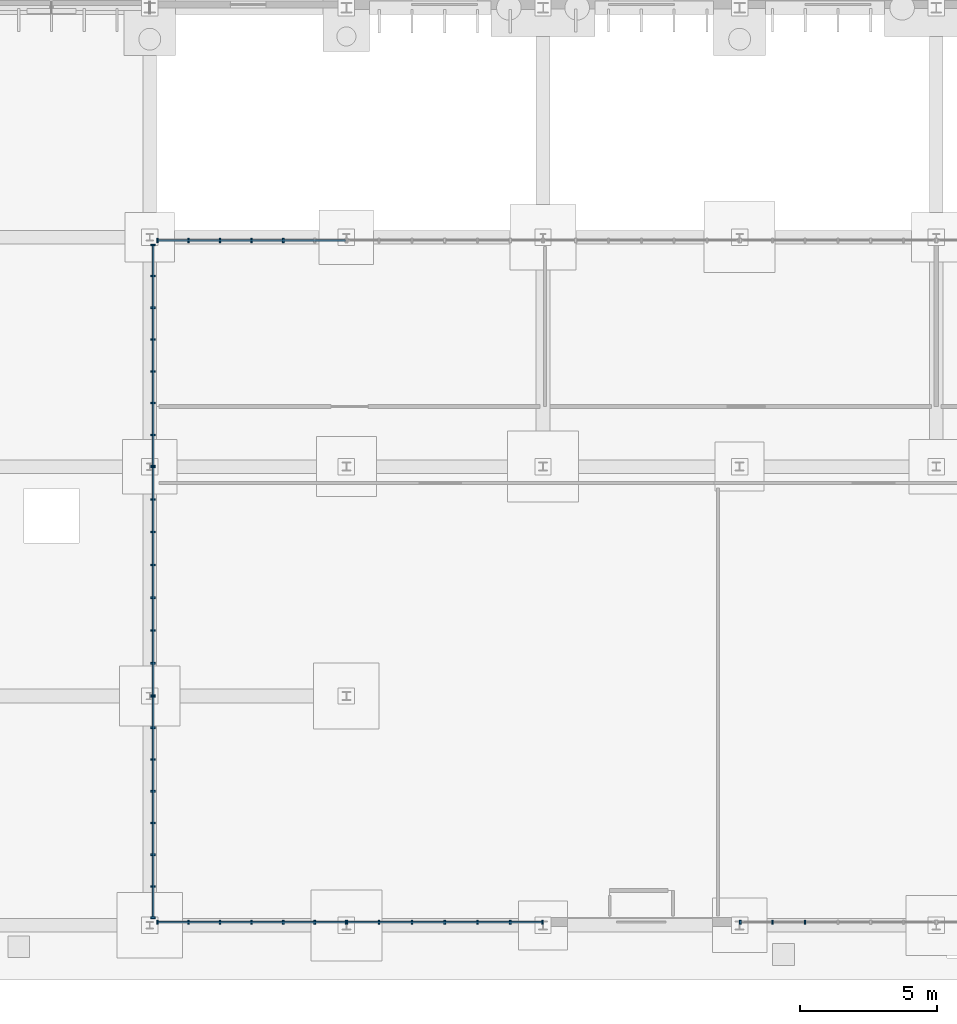
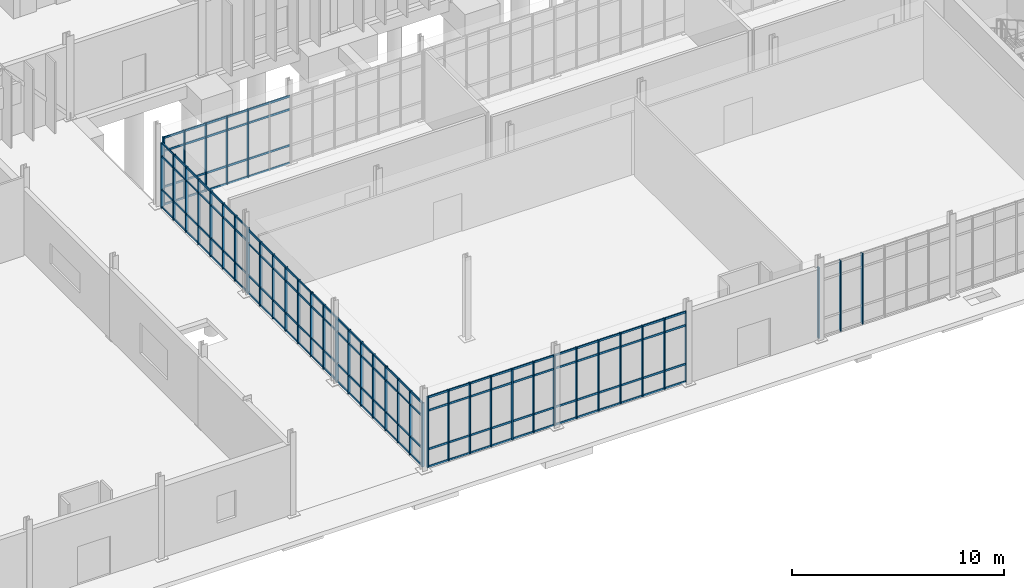
# One storey, part 34 of 118: 70 members, 7 elements without a shape of their own.
"""IFC4 building model written with IfcOpenShell, lengths in metres."""

import ifcopenshell
import ifcopenshell.guid

model = None  # the IFC model being written
_history = None  # IfcOwnerHistory: only IFC2X3 demands one
_inside = {}  # id of a spatial element -> (the spatial element, [elements in it])
_under = {}  # id of a project, library or spatial element -> (it, [spatial elements below it])
_declared = {}  # id of a project -> (the project, [libraries it declares])
_typed = {}  # id of a type object -> (the type object, [elements of that type])
_made_of = {}  # id of a material, layer set ... -> (it, [elements and type objects made of it])


def new_model(schema):
    """Start an empty IFC model of exactly this schema.

    Asked for "IFC4X3", IfcOpenShell would pick the latest addendum, in which some entities
    have other attributes; the version numbers below select the first issue.
    IFC2X3 requires an IfcOwnerHistory on every rooted entity: one is made here for all.
    """
    global model, _history
    if schema == "IFC4X3":
        model = ifcopenshell.file(schema_version=(4, 3, 0, 0))
    else:
        model = ifcopenshell.file(schema=schema)
    _inside.clear()
    _under.clear()
    _declared.clear()
    _typed.clear()
    _made_of.clear()
    _history = None
    if model.schema == "IFC2X3":
        org = make("IfcOrganization", Name="unknown")
        user = make(
            "IfcPersonAndOrganization",
            ThePerson=make("IfcPerson", FamilyName="unknown"),
            TheOrganization=org,
        )
        app = make(
            "IfcApplication",
            ApplicationDeveloper=org,
            Version="unknown",
            ApplicationFullName="unknown",
            ApplicationIdentifier="unknown",
        )
        _history = make(
            "IfcOwnerHistory",
            OwningUser=user,
            OwningApplication=app,
            ChangeAction="ADDED",
            CreationDate=0,
        )
    return model


def make(cls, **values):
    """One entity of the class cls with the attributes given. An attribute that is None is left unset."""
    return model.create_entity(
        cls, **{name: value for name, value in values.items() if value is not None}
    )


def rooted(cls, **values):
    """An entity with a GlobalId (a new one), such as an element, a storey or a relation."""
    return make(cls, GlobalId=ifcopenshell.guid.new(), OwnerHistory=_history, **values)


def si_unit(unit_type, name, prefix=None):
    """IfcSIUnit, for example si_unit("LENGTHUNIT", "METRE", prefix="MILLI")."""
    return make("IfcSIUnit", UnitType=unit_type, Prefix=prefix, Name=name)


def assignment(units):
    """IfcUnitAssignment: the units of a project."""
    return None if units is None else make("IfcUnitAssignment", Units=units)


def point(xyz):
    """IfcCartesianPoint."""
    return None if xyz is None else make("IfcCartesianPoint", Coordinates=xyz)


def direction(xyz):
    """IfcDirection."""
    return None if xyz is None else make("IfcDirection", DirectionRatios=xyz)


def frame(location, z_axis=None, x_axis=None):
    """IfcAxis2Placement3D, a coordinate frame: its origin and axes. An axis left out is left unset."""
    return make(
        "IfcAxis2Placement3D",
        Location=point(location),
        Axis=direction(z_axis),
        RefDirection=direction(x_axis),
    )


def frame_2d(location, x_axis=None):
    """IfcAxis2Placement2D, a coordinate frame in the plane: its origin and x axis."""
    return make(
        "IfcAxis2Placement2D", Location=point(location), RefDirection=direction(x_axis)
    )


def origin():
    """The frame at (0, 0, 0) with its axes left unset."""
    return frame((0.0, 0.0, 0.0))


def origin_2d():
    """The frame at (0, 0) in the plane with its x axis left unset."""
    return frame_2d((0.0, 0.0))


def place(relative_to, where):
    """IfcLocalPlacement: puts the frame where relative to a parent placement (None: the world)."""
    return make(
        "IfcLocalPlacement", PlacementRelTo=relative_to, RelativePlacement=where
    )


def context(
    kind, dimensions, precision=None, world=None, true_north=None, identifier=None
):
    """IfcGeometricRepresentationContext, for example the 3D "Model" context."""
    return make(
        "IfcGeometricRepresentationContext",
        ContextIdentifier=identifier,
        ContextType=kind,
        CoordinateSpaceDimension=dimensions,
        Precision=precision,
        WorldCoordinateSystem=world,
        TrueNorth=true_north,
    )


def subcontext(parent, identifier, kind, view, scale=None):
    """IfcGeometricRepresentationSubContext, for example "Body" below "Model"."""
    return make(
        "IfcGeometricRepresentationSubContext",
        ContextIdentifier=identifier,
        ContextType=kind,
        ParentContext=parent,
        TargetScale=scale,
        TargetView=view,
    )


def project(units=None, contexts=None):
    """IfcProject with its units and contexts."""
    return rooted(
        "IfcProject",
        Name="project",
        RepresentationContexts=contexts,
        UnitsInContext=assignment(units),
    )


def spatial(cls, under=None, at=None, **own):
    """A site, building, storey or space (cls), placed at a placement, below another one or the project."""
    s = rooted(cls, ObjectPlacement=at, **own)
    if under is not None:
        _under.setdefault(under.id(), (under, []))[1].append(s)
    return s


def profile(cls, at=None, kind="AREA", **sizes):
    """A parametric profile (cls). Its sizes go by their IFC names, for example OverallWidth=200.0."""
    return make(cls, ProfileType=kind, Position=at, **sizes)


def rectangle(**sizes):
    """IfcRectangleProfileDef."""
    return profile("IfcRectangleProfileDef", **sizes)


def extrude(swept, where, along, depth):
    """IfcExtrudedAreaSolid: the profile swept, set in the frame where, extruded along a direction by depth."""
    return make(
        "IfcExtrudedAreaSolid",
        SweptArea=swept,
        Position=where,
        ExtrudedDirection=direction(along),
        Depth=depth,
    )


def shape(context_of_items, identifier, shape_type, items):
    """IfcShapeRepresentation: the items that make up one representation, for example the "Body"."""
    return make(
        "IfcShapeRepresentation",
        ContextOfItems=context_of_items,
        RepresentationIdentifier=identifier,
        RepresentationType=shape_type,
        Items=items,
    )


def material(Name=None, Category=None):
    """IfcMaterial."""
    return make("IfcMaterial", Name=Name, Category=Category)


def material_profile(
    of_material, cross_section, Name=None, Category=None, Priority=None
):
    """IfcMaterialProfile: a cross section and its material."""
    return make(
        "IfcMaterialProfile",
        Name=Name,
        Material=of_material,
        Profile=cross_section,
        Priority=Priority,
        Category=Category,
    )


def profile_set(profiles, Name=None, composite=None):
    """IfcMaterialProfileSet."""
    return make(
        "IfcMaterialProfileSet",
        Name=Name,
        MaterialProfiles=profiles,
        CompositeProfile=composite,
    )


def made_of(thing, what):
    """Note that an element or type object is made of a material, layer set ...; save() writes the relation."""
    if what is not None:
        _made_of.setdefault(what.id(), (what, []))[1].append(thing)
    return thing


def type_object(cls, material=None, **own):
    """A type object (cls), such as IfcWallType, which elements share."""
    return made_of(rooted(cls, **own), material)


def element(
    cls,
    number,
    at=None,
    inside=None,
    cuts=None,
    type_object=None,
    material=None,
    context=None,
    identifier="Body",
    shape_type=None,
    held_by="IfcProductDefinitionShape",
    body=None,
    shapes=None,
    **own,
):
    """One element of the class cls, such as IfcWall. Its Tag is "e" and its number.

    at: its placement. inside: the storey or other place that contains it. cuts: it is an
    opening in that element (IfcRelVoidsElement). A single representation is given by context,
    identifier, shape_type and body (its items); several are given by shapes. held_by: the class
    of the entity that holds the representations. save() writes the other relations.
    """
    e = rooted(cls, Tag="e%d" % number, ObjectPlacement=at, **own)
    if body is not None:
        shapes = [shape(context, identifier, shape_type, body)]
    if shapes is not None:
        e.Representation = make(held_by, Representations=shapes)
    if inside is not None:
        _inside.setdefault(inside.id(), (inside, []))[1].append(e)
    if cuts is not None:
        rooted(
            "IfcRelVoidsElement", RelatingBuildingElement=cuts, RelatedOpeningElement=e
        )
    if type_object is not None:
        _typed.setdefault(type_object.id(), (type_object, []))[1].append(e)
    return made_of(e, material)


def aggregate(whole, parts):
    """IfcRelAggregates: a whole, such as a stair, and the parts it consists of."""
    return rooted("IfcRelAggregates", RelatingObject=whole, RelatedObjects=parts)


def save(model, path):
    """Write the relations noted so far, then the file.

    IfcRelAggregates (storeys below a building ...), IfcRelContainedInSpatialStructure (elements
    in a storey), IfcRelDefinesByType, IfcRelAssociatesMaterial and IfcRelDeclares: one each for
    every whole, place, type object, material and project.
    """
    for whole, parts in _under.values():
        aggregate(whole, parts)
    for where, things in _inside.values():
        rooted(
            "IfcRelContainedInSpatialStructure",
            RelatedElements=things,
            RelatingStructure=where,
        )
    for kind, things in _typed.values():
        rooted("IfcRelDefinesByType", RelatedObjects=things, RelatingType=kind)
    for what, things in _made_of.values():
        rooted("IfcRelAssociatesMaterial", RelatedObjects=things, RelatingMaterial=what)
    for by, libraries in _declared.values():
        rooted("IfcRelDeclares", RelatingContext=by, RelatedDefinitions=libraries)
    model.write(path)


model = new_model("IFC4")

# Units and contexts
model_context = context("Model", 3, precision=1e-05, world=origin(), true_north=direction((0.0, 1.0)))
body_context = subcontext(model_context, "Body", "Model", "MODEL_VIEW")
ifc_project = project(units=[si_unit("LENGTHUNIT", "METRE"), si_unit("AREAUNIT", "SQUARE_METRE"), si_unit("VOLUMEUNIT", "CUBIC_METRE"), si_unit("PLANEANGLEUNIT", "RADIAN"), si_unit("MASSUNIT", "GRAM", prefix="KILO")], contexts=[model_context])

# Site, building, storey
site_placement = place(None, origin())
site = spatial("IfcSite", under=ifc_project, at=site_placement, CompositionType="ELEMENT")
building_placement = place(site_placement, origin())
building = spatial("IfcBuilding", under=site, at=building_placement, Name="Qelthora Terrace Specialist Clinic", CompositionType="ELEMENT")
storey_placement = place(building_placement, origin())
storey = spatial("IfcBuildingStorey", under=building, at=storey_placement, Name="L00", CompositionType="ELEMENT", Elevation=0.0)

# Curtain wall, members
ifc_material = material(Name="Aluminium anodized bronze", Category="aluminium")
curtain_wall_type_1 = type_object("IfcCurtainWallType", Name="CW-CONS-X", PredefinedType="NOTDEFINED", material=ifc_material)
curtain_wall_1_placement = place(storey_placement, origin())
curtain_wall_1 = element("IfcCurtainWall", 1, at=curtain_wall_1_placement, inside=storey, type_object=curtain_wall_type_1, Name="Curtain wall CW-L00-205", PredefinedType="NOTDEFINED")
ifc_material_profile_1 = material_profile(ifc_material, rectangle(XDim=0.06005859375, YDim=0.14990234375, at=origin_2d()), Name="CWM60X150")
ifc_profile_set_1 = profile_set([ifc_material_profile_1], Name="Aluminium anodized bronze")
member_type_1 = type_object("IfcMemberType", Name="CWM-60X150", PredefinedType="MULLION", material=ifc_profile_set_1)
member_1_placement = place(storey_placement, frame((101.080078125, 0.1201171875, 0.0), z_axis=(0.0, 0.0, 1.0), x_axis=(1.0, 0.0, 0.0)))
member_1 = element("IfcMember", 2, at=member_1_placement, type_object=member_type_1, Name="CW-L00-205 mullion 1", PredefinedType="MULLION", context=body_context, shape_type="SweptSolid", body=[
    extrude(rectangle(XDim=0.06005859375, YDim=0.14990234375, at=origin_2d()), origin(), (0.0, 0.0, 1.0), 4.08203125),
])
member_2_placement = place(storey_placement, frame((102.216552734375, 0.1201171875, 0.0), z_axis=(0.0, 0.0, 1.0), x_axis=(1.0, 0.0, 0.0)))
member_2 = element("IfcMember", 3, at=member_2_placement, type_object=member_type_1, Name="CW-L00-205 mullion 2", PredefinedType="MULLION", context=body_context, shape_type="SweptSolid", body=[
    extrude(rectangle(XDim=0.06005859375, YDim=0.14990234375, at=origin_2d()), origin(), (0.0, 0.0, 1.0), 4.08203125),
])
member_3_placement = place(storey_placement, frame((103.373291015625, 0.1201171875, 0.0), z_axis=(0.0, 0.0, 1.0), x_axis=(1.0, 0.0, 0.0)))
member_3 = element("IfcMember", 4, at=member_3_placement, type_object=member_type_1, Name="CW-L00-205 mullion 3", PredefinedType="MULLION", context=body_context, shape_type="SweptSolid", body=[
    extrude(rectangle(XDim=0.06005859375, YDim=0.14990234375, at=origin_2d()), origin(), (0.0, 0.0, 1.0), 4.08203125),
])
member_4_placement = place(storey_placement, frame((104.530029296875, 0.1201171875, 0.0), z_axis=(0.0, 0.0, 1.0), x_axis=(1.0, 0.0, 0.0)))
member_4 = element("IfcMember", 5, at=member_4_placement, type_object=member_type_1, Name="CW-L00-205 mullion 4", PredefinedType="MULLION", context=body_context, shape_type="SweptSolid", body=[
    extrude(rectangle(XDim=0.06005859375, YDim=0.14990234375, at=origin_2d()), origin(), (0.0, 0.0, 1.0), 4.08203125),
])
member_5_placement = place(storey_placement, frame((105.686767578125, 0.1201171875, 0.0), z_axis=(0.0, 0.0, 1.0), x_axis=(1.0, 0.0, 0.0)))
member_5 = element("IfcMember", 6, at=member_5_placement, type_object=member_type_1, Name="CW-L00-205 mullion 5", PredefinedType="MULLION", context=body_context, shape_type="SweptSolid", body=[
    extrude(rectangle(XDim=0.06005859375, YDim=0.14990234375, at=origin_2d()), origin(), (0.0, 0.0, 1.0), 4.08203125),
])
member_6_placement = place(storey_placement, frame((106.84326171875, 0.1201171875, 0.0), z_axis=(0.0, 0.0, 1.0), x_axis=(1.0, 0.0, 0.0)))
member_6 = element("IfcMember", 7, at=member_6_placement, type_object=member_type_1, Name="CW-L00-205 mullion 6", PredefinedType="MULLION", context=body_context, shape_type="SweptSolid", body=[
    extrude(rectangle(XDim=0.06005859375, YDim=0.14990234375, at=origin_2d()), origin(), (0.0, 0.0, 1.0), 4.08203125),
])
member_7_placement = place(storey_placement, frame((107.97998046875, 0.1201171875, 0.0), z_axis=(0.0, 0.0, 1.0), x_axis=(1.0, 0.0, 0.0)))
member_7 = element("IfcMember", 8, at=member_7_placement, type_object=member_type_1, Name="CW-L00-205 mullion 7", PredefinedType="MULLION", context=body_context, shape_type="SweptSolid", body=[
    extrude(rectangle(XDim=0.06005859375, YDim=0.14990234375, at=origin_2d()), origin(), (0.0, 0.0, 1.0), 4.08203125),
])

curtain_wall_2_placement = place(storey_placement, origin())
curtain_wall_2 = element("IfcCurtainWall", 9, at=curtain_wall_2_placement, inside=storey, type_object=curtain_wall_type_1, Name="Curtain wall CW-L00-206", PredefinedType="NOTDEFINED")
member_8_placement = place(storey_placement, frame((108.02001953125, 0.1201171875, 0.0), z_axis=(0.0, 0.0, 1.0), x_axis=(1.0, 0.0, 0.0)))
member_8 = element("IfcMember", 10, at=member_8_placement, type_object=member_type_1, Name="CW-L00-206 mullion 1", PredefinedType="MULLION", context=body_context, shape_type="SweptSolid", body=[
    extrude(rectangle(XDim=0.06005859375, YDim=0.14990234375, at=origin_2d()), origin(), (0.0, 0.0, 1.0), 4.08203125),
])
member_9_placement = place(storey_placement, frame((109.199951171875, 0.1201171875, 0.0), z_axis=(0.0, 0.0, 1.0), x_axis=(1.0, 0.0, 0.0)))
member_9 = element("IfcMember", 11, at=member_9_placement, type_object=member_type_1, Name="CW-L00-206 mullion 2", PredefinedType="MULLION", context=body_context, shape_type="SweptSolid", body=[
    extrude(rectangle(XDim=0.06005859375, YDim=0.14990234375, at=origin_2d()), origin(), (0.0, 0.0, 1.0), 4.08203125),
])
member_10_placement = place(storey_placement, frame((110.39990234375, 0.1201171875, 0.0), z_axis=(0.0, 0.0, 1.0), x_axis=(1.0, 0.0, 0.0)))
member_10 = element("IfcMember", 12, at=member_10_placement, type_object=member_type_1, Name="CW-L00-206 mullion 3", PredefinedType="MULLION", context=body_context, shape_type="SweptSolid", body=[
    extrude(rectangle(XDim=0.06005859375, YDim=0.14990234375, at=origin_2d()), origin(), (0.0, 0.0, 1.0), 4.08203125),
])
member_11_placement = place(storey_placement, frame((111.60009765625, 0.1201171875, 0.0), z_axis=(0.0, 0.0, 1.0), x_axis=(1.0, 0.0, 0.0)))
member_11 = element("IfcMember", 13, at=member_11_placement, type_object=member_type_1, Name="CW-L00-206 mullion 4", PredefinedType="MULLION", context=body_context, shape_type="SweptSolid", body=[
    extrude(rectangle(XDim=0.06005859375, YDim=0.14990234375, at=origin_2d()), origin(), (0.0, 0.0, 1.0), 4.08203125),
])
member_12_placement = place(storey_placement, frame((112.800048828125, 0.1201171875, 0.0), z_axis=(0.0, 0.0, 1.0), x_axis=(1.0, 0.0, 0.0)))
member_12 = element("IfcMember", 14, at=member_12_placement, type_object=member_type_1, Name="CW-L00-206 mullion 5", PredefinedType="MULLION", context=body_context, shape_type="SweptSolid", body=[
    extrude(rectangle(XDim=0.06005859375, YDim=0.14990234375, at=origin_2d()), origin(), (0.0, 0.0, 1.0), 4.08203125),
])
member_13_placement = place(storey_placement, frame((114.0, 0.1201171875, 0.0), z_axis=(0.0, 0.0, 1.0), x_axis=(1.0, 0.0, 0.0)))
member_13 = element("IfcMember", 15, at=member_13_placement, type_object=member_type_1, Name="CW-L00-206 mullion 6", PredefinedType="MULLION", context=body_context, shape_type="SweptSolid", body=[
    extrude(rectangle(XDim=0.06005859375, YDim=0.14990234375, at=origin_2d()), origin(), (0.0, 0.0, 1.0), 4.08203125),
])
member_14_placement = place(storey_placement, frame((115.179931640625, 0.1201171875, 0.0), z_axis=(0.0, 0.0, 1.0), x_axis=(1.0, 0.0, 0.0)))
member_14 = element("IfcMember", 16, at=member_14_placement, type_object=member_type_1, Name="CW-L00-206 mullion 7", PredefinedType="MULLION", context=body_context, shape_type="SweptSolid", body=[
    extrude(rectangle(XDim=0.06005859375, YDim=0.14990234375, at=origin_2d()), origin(), (0.0, 0.0, 1.0), 4.08203125),
])

curtain_wall_3_placement = place(storey_placement, origin())
curtain_wall_3 = element("IfcCurtainWall", 17, at=curtain_wall_3_placement, inside=storey, type_object=curtain_wall_type_1, Name="Curtain wall CW-L00-207", PredefinedType="NOTDEFINED")
member_15_placement = place(storey_placement, frame((122.419921875, 0.1201171875, 0.0), z_axis=(0.0, 0.0, 1.0), x_axis=(1.0, 0.0, 0.0)))
member_15 = element("IfcMember", 18, at=member_15_placement, type_object=member_type_1, Name="CW-L00-207 mullion 1", PredefinedType="MULLION", context=body_context, shape_type="SweptSolid", body=[
    extrude(rectangle(XDim=0.06005859375, YDim=0.14990234375, at=origin_2d()), origin(), (0.0, 0.0, 1.0), 4.08203125),
])
member_16_placement = place(storey_placement, frame((123.60009765625, 0.1201171875, 0.0), z_axis=(0.0, 0.0, 1.0), x_axis=(1.0, 0.0, 0.0)))
member_16 = element("IfcMember", 19, at=member_16_placement, type_object=member_type_1, Name="CW-L00-207 mullion 2", PredefinedType="MULLION", context=body_context, shape_type="SweptSolid", body=[
    extrude(rectangle(XDim=0.06005859375, YDim=0.14990234375, at=origin_2d()), origin(), (0.0, 0.0, 1.0), 4.08203125),
])
member_17_placement = place(storey_placement, frame((124.800048828125, 0.1201171875, 0.0), z_axis=(0.0, 0.0, 1.0), x_axis=(1.0, 0.0, 0.0)))
member_17 = element("IfcMember", 20, at=member_17_placement, type_object=member_type_1, Name="CW-L00-207 mullion 3", PredefinedType="MULLION", context=body_context, shape_type="SweptSolid", body=[
    extrude(rectangle(XDim=0.06005859375, YDim=0.14990234375, at=origin_2d()), origin(), (0.0, 0.0, 1.0), 4.08203125),
])
aggregate(curtain_wall_3, [member_15, member_16, member_17])

curtain_wall_type_2 = type_object("IfcCurtainWallType", Name="CW-CONS-Y", PredefinedType="NOTDEFINED", material=ifc_material)
curtain_wall_4_placement = place(storey_placement, origin())
curtain_wall_4 = element("IfcCurtainWall", 21, at=curtain_wall_4_placement, inside=storey, type_object=curtain_wall_type_2, Name="Curtain wall CW-L00-211", PredefinedType="NOTDEFINED")
member_18_placement = place(storey_placement, frame((100.919921875, 0.280029296875, 0.0), z_axis=(0.0, 0.0, 1.0), x_axis=(0.0, 1.0, 0.0)))
member_18 = element("IfcMember", 22, at=member_18_placement, type_object=member_type_1, Name="CW-L00-211 mullion 1", PredefinedType="MULLION", context=body_context, shape_type="SweptSolid", body=[
    extrude(rectangle(XDim=0.06005859375, YDim=0.14990234375, at=origin_2d()), origin(), (0.0, 0.0, 1.0), 3.69091796875),
])
member_19_placement = place(storey_placement, frame((100.919921875, 1.4228515625, 0.0), z_axis=(0.0, 0.0, 1.0), x_axis=(0.0, 1.0, 0.0)))
member_19 = element("IfcMember", 23, at=member_19_placement, type_object=member_type_1, Name="CW-L00-211 mullion 2", PredefinedType="MULLION", context=body_context, shape_type="SweptSolid", body=[
    extrude(rectangle(XDim=0.06005859375, YDim=0.14990234375, at=origin_2d()), origin(), (0.0, 0.0, 1.0), 3.69091796875),
])
member_20_placement = place(storey_placement, frame((100.919921875, 2.585693359375, 0.0), z_axis=(0.0, 0.0, 1.0), x_axis=(0.0, 1.0, 0.0)))
member_20 = element("IfcMember", 24, at=member_20_placement, type_object=member_type_1, Name="CW-L00-211 mullion 3", PredefinedType="MULLION", context=body_context, shape_type="SweptSolid", body=[
    extrude(rectangle(XDim=0.06005859375, YDim=0.14990234375, at=origin_2d()), origin(), (0.0, 0.0, 1.0), 3.69091796875),
])
member_21_placement = place(storey_placement, frame((100.919921875, 3.74853515625, 0.0), z_axis=(0.0, 0.0, 1.0), x_axis=(0.0, 1.0, 0.0)))
member_21 = element("IfcMember", 25, at=member_21_placement, type_object=member_type_1, Name="CW-L00-211 mullion 4", PredefinedType="MULLION", context=body_context, shape_type="SweptSolid", body=[
    extrude(rectangle(XDim=0.06005859375, YDim=0.14990234375, at=origin_2d()), origin(), (0.0, 0.0, 1.0), 3.69091796875),
])
member_22_placement = place(storey_placement, frame((100.919921875, 4.911376953125, 0.0), z_axis=(0.0, 0.0, 1.0), x_axis=(0.0, 1.0, 0.0)))
member_22 = element("IfcMember", 26, at=member_22_placement, type_object=member_type_1, Name="CW-L00-211 mullion 5", PredefinedType="MULLION", context=body_context, shape_type="SweptSolid", body=[
    extrude(rectangle(XDim=0.06005859375, YDim=0.14990234375, at=origin_2d()), origin(), (0.0, 0.0, 1.0), 3.69091796875),
])
member_23_placement = place(storey_placement, frame((100.919921875, 6.07421875, 0.0), z_axis=(0.0, 0.0, 1.0), x_axis=(0.0, 1.0, 0.0)))
member_23 = element("IfcMember", 27, at=member_23_placement, type_object=member_type_1, Name="CW-L00-211 mullion 6", PredefinedType="MULLION", context=body_context, shape_type="SweptSolid", body=[
    extrude(rectangle(XDim=0.06005859375, YDim=0.14990234375, at=origin_2d()), origin(), (0.0, 0.0, 1.0), 3.69091796875),
])
member_24_placement = place(storey_placement, frame((100.919921875, 7.237060546875, 0.0), z_axis=(0.0, 0.0, 1.0), x_axis=(0.0, 1.0, 0.0)))
member_24 = element("IfcMember", 28, at=member_24_placement, type_object=member_type_1, Name="CW-L00-211 mullion 7", PredefinedType="MULLION", context=body_context, shape_type="SweptSolid", body=[
    extrude(rectangle(XDim=0.06005859375, YDim=0.14990234375, at=origin_2d()), origin(), (0.0, 0.0, 1.0), 3.69091796875),
])
member_25_placement = place(storey_placement, frame((100.919921875, 8.3798828125, 0.0), z_axis=(0.0, 0.0, 1.0), x_axis=(0.0, 1.0, 0.0)))
member_25 = element("IfcMember", 29, at=member_25_placement, type_object=member_type_1, Name="CW-L00-211 mullion 8", PredefinedType="MULLION", context=body_context, shape_type="SweptSolid", body=[
    extrude(rectangle(XDim=0.06005859375, YDim=0.14990234375, at=origin_2d()), origin(), (0.0, 0.0, 1.0), 3.69091796875),
])

curtain_wall_5_placement = place(storey_placement, origin())
curtain_wall_5 = element("IfcCurtainWall", 30, at=curtain_wall_5_placement, inside=storey, type_object=curtain_wall_type_2, Name="Curtain wall CW-L00-212", PredefinedType="NOTDEFINED")
member_26_placement = place(storey_placement, frame((100.919921875, 8.419921875, 0.0), z_axis=(0.0, 0.0, 1.0), x_axis=(0.0, 1.0, 0.0)))
member_26 = element("IfcMember", 31, at=member_26_placement, type_object=member_type_1, Name="CW-L00-212 mullion 1", PredefinedType="MULLION", context=body_context, shape_type="SweptSolid", body=[
    extrude(rectangle(XDim=0.06005859375, YDim=0.14990234375, at=origin_2d()), origin(), (0.0, 0.0, 1.0), 3.69091796875),
])
member_27_placement = place(storey_placement, frame((100.919921875, 9.60009765625, 0.0), z_axis=(0.0, 0.0, 1.0), x_axis=(0.0, 1.0, 0.0)))
member_27 = element("IfcMember", 32, at=member_27_placement, type_object=member_type_1, Name="CW-L00-212 mullion 2", PredefinedType="MULLION", context=body_context, shape_type="SweptSolid", body=[
    extrude(rectangle(XDim=0.06005859375, YDim=0.14990234375, at=origin_2d()), origin(), (0.0, 0.0, 1.0), 3.69091796875),
])
member_28_placement = place(storey_placement, frame((100.919921875, 10.800048828125, 0.0), z_axis=(0.0, 0.0, 1.0), x_axis=(0.0, 1.0, 0.0)))
member_28 = element("IfcMember", 33, at=member_28_placement, type_object=member_type_1, Name="CW-L00-212 mullion 3", PredefinedType="MULLION", context=body_context, shape_type="SweptSolid", body=[
    extrude(rectangle(XDim=0.06005859375, YDim=0.14990234375, at=origin_2d()), origin(), (0.0, 0.0, 1.0), 3.69091796875),
])
member_29_placement = place(storey_placement, frame((100.919921875, 12.0, 0.0), z_axis=(0.0, 0.0, 1.0), x_axis=(0.0, 1.0, 0.0)))
member_29 = element("IfcMember", 34, at=member_29_placement, type_object=member_type_1, Name="CW-L00-212 mullion 4", PredefinedType="MULLION", context=body_context, shape_type="SweptSolid", body=[
    extrude(rectangle(XDim=0.06005859375, YDim=0.14990234375, at=origin_2d()), origin(), (0.0, 0.0, 1.0), 3.69091796875),
])
member_30_placement = place(storey_placement, frame((100.919921875, 13.199951171875, 0.0), z_axis=(0.0, 0.0, 1.0), x_axis=(0.0, 1.0, 0.0)))
member_30 = element("IfcMember", 35, at=member_30_placement, type_object=member_type_1, Name="CW-L00-212 mullion 5", PredefinedType="MULLION", context=body_context, shape_type="SweptSolid", body=[
    extrude(rectangle(XDim=0.06005859375, YDim=0.14990234375, at=origin_2d()), origin(), (0.0, 0.0, 1.0), 3.69091796875),
])
member_31_placement = place(storey_placement, frame((100.919921875, 14.39990234375, 0.0), z_axis=(0.0, 0.0, 1.0), x_axis=(0.0, 1.0, 0.0)))
member_31 = element("IfcMember", 36, at=member_31_placement, type_object=member_type_1, Name="CW-L00-212 mullion 6", PredefinedType="MULLION", context=body_context, shape_type="SweptSolid", body=[
    extrude(rectangle(XDim=0.06005859375, YDim=0.14990234375, at=origin_2d()), origin(), (0.0, 0.0, 1.0), 3.69091796875),
])
member_32_placement = place(storey_placement, frame((100.919921875, 15.60009765625, 0.0), z_axis=(0.0, 0.0, 1.0), x_axis=(0.0, 1.0, 0.0)))
member_32 = element("IfcMember", 37, at=member_32_placement, type_object=member_type_1, Name="CW-L00-212 mullion 7", PredefinedType="MULLION", context=body_context, shape_type="SweptSolid", body=[
    extrude(rectangle(XDim=0.06005859375, YDim=0.14990234375, at=origin_2d()), origin(), (0.0, 0.0, 1.0), 3.69091796875),
])
member_33_placement = place(storey_placement, frame((100.919921875, 16.780029296875, 0.0), z_axis=(0.0, 0.0, 1.0), x_axis=(0.0, 1.0, 0.0)))
member_33 = element("IfcMember", 38, at=member_33_placement, type_object=member_type_1, Name="CW-L00-212 mullion 8", PredefinedType="MULLION", context=body_context, shape_type="SweptSolid", body=[
    extrude(rectangle(XDim=0.06005859375, YDim=0.14990234375, at=origin_2d()), origin(), (0.0, 0.0, 1.0), 3.69091796875),
])

curtain_wall_6_placement = place(storey_placement, origin())
curtain_wall_6 = element("IfcCurtainWall", 39, at=curtain_wall_6_placement, inside=storey, type_object=curtain_wall_type_2, Name="Curtain wall CW-L00-213", PredefinedType="NOTDEFINED")
member_34_placement = place(storey_placement, frame((100.919921875, 16.820068359375, 0.0), z_axis=(0.0, 0.0, 1.0), x_axis=(0.0, 1.0, 0.0)))
member_34 = element("IfcMember", 40, at=member_34_placement, type_object=member_type_1, Name="CW-L00-213 mullion 1", PredefinedType="MULLION", context=body_context, shape_type="SweptSolid", body=[
    extrude(rectangle(XDim=0.06005859375, YDim=0.14990234375, at=origin_2d()), origin(), (0.0, 0.0, 1.0), 3.77197265625),
])
member_35_placement = place(storey_placement, frame((100.919921875, 17.962890625, 0.0), z_axis=(0.0, 0.0, 1.0), x_axis=(0.0, 1.0, 0.0)))
member_35 = element("IfcMember", 41, at=member_35_placement, type_object=member_type_1, Name="CW-L00-213 mullion 2", PredefinedType="MULLION", context=body_context, shape_type="SweptSolid", body=[
    extrude(rectangle(XDim=0.06005859375, YDim=0.14990234375, at=origin_2d()), origin(), (0.0, 0.0, 1.0), 3.77197265625),
])
member_36_placement = place(storey_placement, frame((100.919921875, 19.125732421875, 0.0), z_axis=(0.0, 0.0, 1.0), x_axis=(0.0, 1.0, 0.0)))
member_36 = element("IfcMember", 42, at=member_36_placement, type_object=member_type_1, Name="CW-L00-213 mullion 3", PredefinedType="MULLION", context=body_context, shape_type="SweptSolid", body=[
    extrude(rectangle(XDim=0.06005859375, YDim=0.14990234375, at=origin_2d()), origin(), (0.0, 0.0, 1.0), 3.77197265625),
])
member_37_placement = place(storey_placement, frame((100.919921875, 20.28857421875, 0.0), z_axis=(0.0, 0.0, 1.0), x_axis=(0.0, 1.0, 0.0)))
member_37 = element("IfcMember", 43, at=member_37_placement, type_object=member_type_1, Name="CW-L00-213 mullion 4", PredefinedType="MULLION", context=body_context, shape_type="SweptSolid", body=[
    extrude(rectangle(XDim=0.06005859375, YDim=0.14990234375, at=origin_2d()), origin(), (0.0, 0.0, 1.0), 3.77197265625),
])
member_38_placement = place(storey_placement, frame((100.919921875, 21.451416015625, 0.0), z_axis=(0.0, 0.0, 1.0), x_axis=(0.0, 1.0, 0.0)))
member_38 = element("IfcMember", 44, at=member_38_placement, type_object=member_type_1, Name="CW-L00-213 mullion 5", PredefinedType="MULLION", context=body_context, shape_type="SweptSolid", body=[
    extrude(rectangle(XDim=0.06005859375, YDim=0.14990234375, at=origin_2d()), origin(), (0.0, 0.0, 1.0), 3.77197265625),
])
member_39_placement = place(storey_placement, frame((100.919921875, 22.6142578125, 0.0), z_axis=(0.0, 0.0, 1.0), x_axis=(0.0, 1.0, 0.0)))
member_39 = element("IfcMember", 45, at=member_39_placement, type_object=member_type_1, Name="CW-L00-213 mullion 6", PredefinedType="MULLION", context=body_context, shape_type="SweptSolid", body=[
    extrude(rectangle(XDim=0.06005859375, YDim=0.14990234375, at=origin_2d()), origin(), (0.0, 0.0, 1.0), 3.77197265625),
])
member_40_placement = place(storey_placement, frame((100.919921875, 23.777099609375, 0.0), z_axis=(0.0, 0.0, 1.0), x_axis=(0.0, 1.0, 0.0)))
member_40 = element("IfcMember", 46, at=member_40_placement, type_object=member_type_1, Name="CW-L00-213 mullion 7", PredefinedType="MULLION", context=body_context, shape_type="SweptSolid", body=[
    extrude(rectangle(XDim=0.06005859375, YDim=0.14990234375, at=origin_2d()), origin(), (0.0, 0.0, 1.0), 3.77197265625),
])
member_41_placement = place(storey_placement, frame((100.919921875, 24.919921875, 0.0), z_axis=(0.0, 0.0, 1.0), x_axis=(0.0, 1.0, 0.0)))
member_41 = element("IfcMember", 47, at=member_41_placement, type_object=member_type_1, Name="CW-L00-213 mullion 8", PredefinedType="MULLION", context=body_context, shape_type="SweptSolid", body=[
    extrude(rectangle(XDim=0.06005859375, YDim=0.14990234375, at=origin_2d()), origin(), (0.0, 0.0, 1.0), 3.77197265625),
])

curtain_wall_7_placement = place(storey_placement, origin())
curtain_wall_7 = element("IfcCurtainWall", 48, at=curtain_wall_7_placement, inside=storey, type_object=curtain_wall_type_1, Name="Curtain wall CW-L00-214", PredefinedType="NOTDEFINED")
member_42_placement = place(storey_placement, frame((101.080078125, 25.080078125, 0.0), z_axis=(0.0, 0.0, 1.0), x_axis=(1.0, 0.0, 0.0)))
member_42 = element("IfcMember", 49, at=member_42_placement, type_object=member_type_1, Name="CW-L00-214 mullion 1", PredefinedType="MULLION", context=body_context, shape_type="SweptSolid", body=[
    extrude(rectangle(XDim=0.06005859375, YDim=0.14990234375, at=origin_2d()), origin(), (0.0, 0.0, 1.0), 3.925048828125),
])
member_43_placement = place(storey_placement, frame((102.216552734375, 25.080078125, 0.0), z_axis=(0.0, 0.0, 1.0), x_axis=(1.0, 0.0, 0.0)))
member_43 = element("IfcMember", 50, at=member_43_placement, type_object=member_type_1, Name="CW-L00-214 mullion 2", PredefinedType="MULLION", context=body_context, shape_type="SweptSolid", body=[
    extrude(rectangle(XDim=0.06005859375, YDim=0.14990234375, at=origin_2d()), origin(), (0.0, 0.0, 1.0), 3.925048828125),
])
member_44_placement = place(storey_placement, frame((103.373291015625, 25.080078125, 0.0), z_axis=(0.0, 0.0, 1.0), x_axis=(1.0, 0.0, 0.0)))
member_44 = element("IfcMember", 51, at=member_44_placement, type_object=member_type_1, Name="CW-L00-214 mullion 3", PredefinedType="MULLION", context=body_context, shape_type="SweptSolid", body=[
    extrude(rectangle(XDim=0.06005859375, YDim=0.14990234375, at=origin_2d()), origin(), (0.0, 0.0, 1.0), 3.925048828125),
])
member_45_placement = place(storey_placement, frame((104.530029296875, 25.080078125, 0.0), z_axis=(0.0, 0.0, 1.0), x_axis=(1.0, 0.0, 0.0)))
member_45 = element("IfcMember", 52, at=member_45_placement, type_object=member_type_1, Name="CW-L00-214 mullion 4", PredefinedType="MULLION", context=body_context, shape_type="SweptSolid", body=[
    extrude(rectangle(XDim=0.06005859375, YDim=0.14990234375, at=origin_2d()), origin(), (0.0, 0.0, 1.0), 3.925048828125),
])
member_46_placement = place(storey_placement, frame((105.686767578125, 25.080078125, 0.0), z_axis=(0.0, 0.0, 1.0), x_axis=(1.0, 0.0, 0.0)))
member_46 = element("IfcMember", 53, at=member_46_placement, type_object=member_type_1, Name="CW-L00-214 mullion 5", PredefinedType="MULLION", context=body_context, shape_type="SweptSolid", body=[
    extrude(rectangle(XDim=0.06005859375, YDim=0.14990234375, at=origin_2d()), origin(), (0.0, 0.0, 1.0), 3.925048828125),
])

# Member
ifc_material_profile_2 = material_profile(ifc_material, rectangle(XDim=0.06005859375, YDim=0.110107421875, at=origin_2d()), Name="CWT60X110")
ifc_profile_set_2 = profile_set([ifc_material_profile_2], Name="Aluminium anodized bronze")
member_type_2 = type_object("IfcMemberType", Name="CWT-60X110", PredefinedType="USERDEFINED", material=ifc_profile_set_2)
member_47_placement = place(storey_placement, frame((101.10009765625, 0.1201171875, 0.0400390625), z_axis=(1.0, 0.0, 0.0), x_axis=(0.0, 1.0, 0.0)))
member_47 = element("IfcMember", 54, at=member_47_placement, type_object=member_type_2, Name="CW-L00-205 transom 1", ObjectType="TRANSOM", PredefinedType="USERDEFINED", context=body_context, shape_type="SweptSolid", body=[
    extrude(rectangle(XDim=0.06005859375, YDim=0.110107421875, at=origin_2d()), origin(), (0.0, 0.0, 1.0), 6.85986328125),
])

member_48_placement = place(storey_placement, frame((101.10009765625, 0.1201171875, 1.050048828125), z_axis=(1.0, 0.0, 0.0), x_axis=(0.0, 1.0, 0.0)))
member_48 = element("IfcMember", 55, at=member_48_placement, type_object=member_type_2, Name="CW-L00-205 transom 2", ObjectType="TRANSOM", PredefinedType="USERDEFINED", context=body_context, shape_type="SweptSolid", body=[
    extrude(rectangle(XDim=0.06005859375, YDim=0.110107421875, at=origin_2d()), origin(), (0.0, 0.0, 1.0), 6.85986328125),
])

member_49_placement = place(storey_placement, frame((101.10009765625, 0.1201171875, 3.281982421875), z_axis=(1.0, 0.0, 0.0), x_axis=(0.0, 1.0, 0.0)))
member_49 = element("IfcMember", 56, at=member_49_placement, type_object=member_type_2, Name="CW-L00-205 transom 3", ObjectType="TRANSOM", PredefinedType="USERDEFINED", context=body_context, shape_type="SweptSolid", body=[
    extrude(rectangle(XDim=0.06005859375, YDim=0.110107421875, at=origin_2d()), origin(), (0.0, 0.0, 1.0), 6.85986328125),
])

member_50_placement = place(storey_placement, frame((101.10009765625, 0.1201171875, 4.0419921875), z_axis=(1.0, 0.0, 0.0), x_axis=(0.0, 1.0, 0.0)))
member_50 = element("IfcMember", 57, at=member_50_placement, type_object=member_type_2, Name="CW-L00-205 transom 4", ObjectType="TRANSOM", PredefinedType="USERDEFINED", context=body_context, shape_type="SweptSolid", body=[
    extrude(rectangle(XDim=0.06005859375, YDim=0.110107421875, at=origin_2d()), origin(), (0.0, 0.0, 1.0), 6.85986328125),
])

aggregate(curtain_wall_1, [member_1, member_2, member_3, member_4, member_5, member_6, member_7, member_47, member_48, member_49, member_50])

member_51_placement = place(storey_placement, frame((108.0400390625, 0.1201171875, 0.0400390625), z_axis=(1.0, 0.0, 0.0), x_axis=(0.0, 1.0, 0.0)))
member_51 = element("IfcMember", 58, at=member_51_placement, type_object=member_type_2, Name="CW-L00-206 transom 1", ObjectType="TRANSOM", PredefinedType="USERDEFINED", context=body_context, shape_type="SweptSolid", body=[
    extrude(rectangle(XDim=0.06005859375, YDim=0.110107421875, at=origin_2d()), origin(), (0.0, 0.0, 1.0), 7.119873046875),
])

member_52_placement = place(storey_placement, frame((108.0400390625, 0.1201171875, 1.050048828125), z_axis=(1.0, 0.0, 0.0), x_axis=(0.0, 1.0, 0.0)))
member_52 = element("IfcMember", 59, at=member_52_placement, type_object=member_type_2, Name="CW-L00-206 transom 2", ObjectType="TRANSOM", PredefinedType="USERDEFINED", context=body_context, shape_type="SweptSolid", body=[
    extrude(rectangle(XDim=0.06005859375, YDim=0.110107421875, at=origin_2d()), origin(), (0.0, 0.0, 1.0), 7.119873046875),
])

member_53_placement = place(storey_placement, frame((108.0400390625, 0.1201171875, 3.281982421875), z_axis=(1.0, 0.0, 0.0), x_axis=(0.0, 1.0, 0.0)))
member_53 = element("IfcMember", 60, at=member_53_placement, type_object=member_type_2, Name="CW-L00-206 transom 3", ObjectType="TRANSOM", PredefinedType="USERDEFINED", context=body_context, shape_type="SweptSolid", body=[
    extrude(rectangle(XDim=0.06005859375, YDim=0.110107421875, at=origin_2d()), origin(), (0.0, 0.0, 1.0), 7.119873046875),
])

member_54_placement = place(storey_placement, frame((108.0400390625, 0.1201171875, 4.0419921875), z_axis=(1.0, 0.0, 0.0), x_axis=(0.0, 1.0, 0.0)))
member_54 = element("IfcMember", 61, at=member_54_placement, type_object=member_type_2, Name="CW-L00-206 transom 4", ObjectType="TRANSOM", PredefinedType="USERDEFINED", context=body_context, shape_type="SweptSolid", body=[
    extrude(rectangle(XDim=0.06005859375, YDim=0.110107421875, at=origin_2d()), origin(), (0.0, 0.0, 1.0), 7.119873046875),
])

aggregate(curtain_wall_2, [member_8, member_9, member_10, member_11, member_12, member_13, member_14, member_51, member_52, member_53, member_54])

member_55_placement = place(storey_placement, frame((100.919921875, 0.300048828125, 0.0400390625), z_axis=(0.0, 1.0, 0.0), x_axis=(-1.0, 0.0, 0.0)))
member_55 = element("IfcMember", 62, at=member_55_placement, type_object=member_type_2, Name="CW-L00-211 transom 1", ObjectType="TRANSOM", PredefinedType="USERDEFINED", context=body_context, shape_type="SweptSolid", body=[
    extrude(rectangle(XDim=0.06005859375, YDim=0.110107421875, at=origin_2d()), origin(), (0.0, 0.0, 1.0), 8.06005859375),
])

member_56_placement = place(storey_placement, frame((100.919921875, 0.300048828125, 1.050048828125), z_axis=(0.0, 1.0, 0.0), x_axis=(-1.0, 0.0, 0.0)))
member_56 = element("IfcMember", 63, at=member_56_placement, type_object=member_type_2, Name="CW-L00-211 transom 2", ObjectType="TRANSOM", PredefinedType="USERDEFINED", context=body_context, shape_type="SweptSolid", body=[
    extrude(rectangle(XDim=0.06005859375, YDim=0.110107421875, at=origin_2d()), origin(), (0.0, 0.0, 1.0), 8.06005859375),
])

member_57_placement = place(storey_placement, frame((100.919921875, 0.300048828125, 2.89111328125), z_axis=(0.0, 1.0, 0.0), x_axis=(-1.0, 0.0, 0.0)))
member_57 = element("IfcMember", 64, at=member_57_placement, type_object=member_type_2, Name="CW-L00-211 transom 3", ObjectType="TRANSOM", PredefinedType="USERDEFINED", context=body_context, shape_type="SweptSolid", body=[
    extrude(rectangle(XDim=0.06005859375, YDim=0.110107421875, at=origin_2d()), origin(), (0.0, 0.0, 1.0), 8.06005859375),
])

member_58_placement = place(storey_placement, frame((100.919921875, 0.300048828125, 3.65087890625), z_axis=(0.0, 1.0, 0.0), x_axis=(-1.0, 0.0, 0.0)))
member_58 = element("IfcMember", 65, at=member_58_placement, type_object=member_type_2, Name="CW-L00-211 transom 4", ObjectType="TRANSOM", PredefinedType="USERDEFINED", context=body_context, shape_type="SweptSolid", body=[
    extrude(rectangle(XDim=0.06005859375, YDim=0.110107421875, at=origin_2d()), origin(), (0.0, 0.0, 1.0), 8.06005859375),
])

aggregate(curtain_wall_4, [member_18, member_19, member_20, member_21, member_22, member_23, member_24, member_25, member_55, member_56, member_57, member_58])

member_59_placement = place(storey_placement, frame((100.919921875, 8.43994140625, 0.0400390625), z_axis=(0.0, 1.0, 0.0), x_axis=(-1.0, 0.0, 0.0)))
member_59 = element("IfcMember", 66, at=member_59_placement, type_object=member_type_2, Name="CW-L00-212 transom 1", ObjectType="TRANSOM", PredefinedType="USERDEFINED", context=body_context, shape_type="SweptSolid", body=[
    extrude(rectangle(XDim=0.06005859375, YDim=0.110107421875, at=origin_2d()), origin(), (0.0, 0.0, 1.0), 8.320068359375),
])

member_60_placement = place(storey_placement, frame((100.919921875, 8.43994140625, 1.050048828125), z_axis=(0.0, 1.0, 0.0), x_axis=(-1.0, 0.0, 0.0)))
member_60 = element("IfcMember", 67, at=member_60_placement, type_object=member_type_2, Name="CW-L00-212 transom 2", ObjectType="TRANSOM", PredefinedType="USERDEFINED", context=body_context, shape_type="SweptSolid", body=[
    extrude(rectangle(XDim=0.06005859375, YDim=0.110107421875, at=origin_2d()), origin(), (0.0, 0.0, 1.0), 8.320068359375),
])

member_61_placement = place(storey_placement, frame((100.919921875, 8.43994140625, 2.89111328125), z_axis=(0.0, 1.0, 0.0), x_axis=(-1.0, 0.0, 0.0)))
member_61 = element("IfcMember", 68, at=member_61_placement, type_object=member_type_2, Name="CW-L00-212 transom 3", ObjectType="TRANSOM", PredefinedType="USERDEFINED", context=body_context, shape_type="SweptSolid", body=[
    extrude(rectangle(XDim=0.06005859375, YDim=0.110107421875, at=origin_2d()), origin(), (0.0, 0.0, 1.0), 8.320068359375),
])

member_62_placement = place(storey_placement, frame((100.919921875, 8.43994140625, 3.65087890625), z_axis=(0.0, 1.0, 0.0), x_axis=(-1.0, 0.0, 0.0)))
member_62 = element("IfcMember", 69, at=member_62_placement, type_object=member_type_2, Name="CW-L00-212 transom 4", ObjectType="TRANSOM", PredefinedType="USERDEFINED", context=body_context, shape_type="SweptSolid", body=[
    extrude(rectangle(XDim=0.06005859375, YDim=0.110107421875, at=origin_2d()), origin(), (0.0, 0.0, 1.0), 8.320068359375),
])

aggregate(curtain_wall_5, [member_26, member_27, member_28, member_29, member_30, member_31, member_32, member_33, member_59, member_60, member_61, member_62])

member_63_placement = place(storey_placement, frame((100.919921875, 16.840087890625, 0.0400390625), z_axis=(0.0, 1.0, 0.0), x_axis=(-1.0, 0.0, 0.0)))
member_63 = element("IfcMember", 70, at=member_63_placement, type_object=member_type_2, Name="CW-L00-213 transom 1", ObjectType="TRANSOM", PredefinedType="USERDEFINED", context=body_context, shape_type="SweptSolid", body=[
    extrude(rectangle(XDim=0.06005859375, YDim=0.110107421875, at=origin_2d()), origin(), (0.0, 0.0, 1.0), 8.059814453125),
])

member_64_placement = place(storey_placement, frame((100.919921875, 16.840087890625, 1.050048828125), z_axis=(0.0, 1.0, 0.0), x_axis=(-1.0, 0.0, 0.0)))
member_64 = element("IfcMember", 71, at=member_64_placement, type_object=member_type_2, Name="CW-L00-213 transom 2", ObjectType="TRANSOM", PredefinedType="USERDEFINED", context=body_context, shape_type="SweptSolid", body=[
    extrude(rectangle(XDim=0.06005859375, YDim=0.110107421875, at=origin_2d()), origin(), (0.0, 0.0, 1.0), 8.059814453125),
])

member_65_placement = place(storey_placement, frame((100.919921875, 16.840087890625, 2.971923828125), z_axis=(0.0, 1.0, 0.0), x_axis=(-1.0, 0.0, 0.0)))
member_65 = element("IfcMember", 72, at=member_65_placement, type_object=member_type_2, Name="CW-L00-213 transom 3", ObjectType="TRANSOM", PredefinedType="USERDEFINED", context=body_context, shape_type="SweptSolid", body=[
    extrude(rectangle(XDim=0.06005859375, YDim=0.110107421875, at=origin_2d()), origin(), (0.0, 0.0, 1.0), 8.059814453125),
])

member_66_placement = place(storey_placement, frame((100.919921875, 16.840087890625, 3.73193359375), z_axis=(0.0, 1.0, 0.0), x_axis=(-1.0, 0.0, 0.0)))
member_66 = element("IfcMember", 73, at=member_66_placement, type_object=member_type_2, Name="CW-L00-213 transom 4", ObjectType="TRANSOM", PredefinedType="USERDEFINED", context=body_context, shape_type="SweptSolid", body=[
    extrude(rectangle(XDim=0.06005859375, YDim=0.110107421875, at=origin_2d()), origin(), (0.0, 0.0, 1.0), 8.059814453125),
])

aggregate(curtain_wall_6, [member_34, member_35, member_36, member_37, member_38, member_39, member_40, member_41, member_63, member_64, member_65, member_66])

member_67_placement = place(storey_placement, frame((101.10009765625, 25.080078125, 0.0400390625), z_axis=(1.0, 0.0, 0.0), x_axis=(0.0, 1.0, 0.0)))
member_67 = element("IfcMember", 74, at=member_67_placement, type_object=member_type_2, Name="CW-L00-214 transom 1", ObjectType="TRANSOM", PredefinedType="USERDEFINED", context=body_context, shape_type="SweptSolid", body=[
    extrude(rectangle(XDim=0.06005859375, YDim=0.110107421875, at=origin_2d()), origin(), (0.0, 0.0, 1.0), 6.85986328125),
])

member_68_placement = place(storey_placement, frame((101.10009765625, 25.080078125, 1.050048828125), z_axis=(1.0, 0.0, 0.0), x_axis=(0.0, 1.0, 0.0)))
member_68 = element("IfcMember", 75, at=member_68_placement, type_object=member_type_2, Name="CW-L00-214 transom 2", ObjectType="TRANSOM", PredefinedType="USERDEFINED", context=body_context, shape_type="SweptSolid", body=[
    extrude(rectangle(XDim=0.06005859375, YDim=0.110107421875, at=origin_2d()), origin(), (0.0, 0.0, 1.0), 6.85986328125),
])

member_69_placement = place(storey_placement, frame((101.10009765625, 25.080078125, 3.125), z_axis=(1.0, 0.0, 0.0), x_axis=(0.0, 1.0, 0.0)))
member_69 = element("IfcMember", 76, at=member_69_placement, type_object=member_type_2, Name="CW-L00-214 transom 3", ObjectType="TRANSOM", PredefinedType="USERDEFINED", context=body_context, shape_type="SweptSolid", body=[
    extrude(rectangle(XDim=0.06005859375, YDim=0.110107421875, at=origin_2d()), origin(), (0.0, 0.0, 1.0), 6.85986328125),
])

member_70_placement = place(storey_placement, frame((101.10009765625, 25.080078125, 3.885009765625), z_axis=(1.0, 0.0, 0.0), x_axis=(0.0, 1.0, 0.0)))
member_70 = element("IfcMember", 77, at=member_70_placement, type_object=member_type_2, Name="CW-L00-214 transom 4", ObjectType="TRANSOM", PredefinedType="USERDEFINED", context=body_context, shape_type="SweptSolid", body=[
    extrude(rectangle(XDim=0.06005859375, YDim=0.110107421875, at=origin_2d()), origin(), (0.0, 0.0, 1.0), 6.85986328125),
])

aggregate(curtain_wall_7, [member_42, member_43, member_44, member_45, member_46, member_67, member_68, member_69, member_70])

save(model, "model.ifc")
